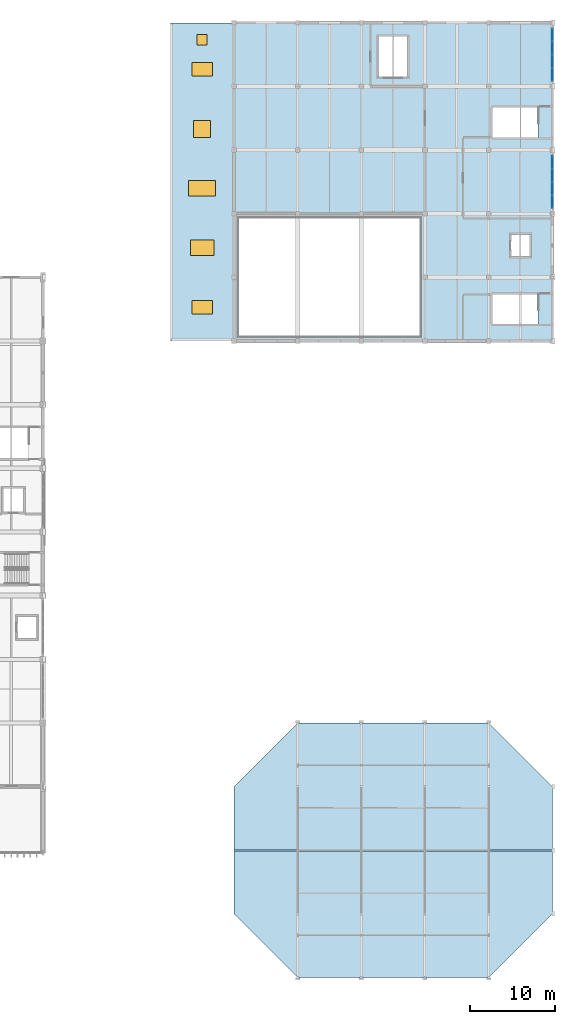
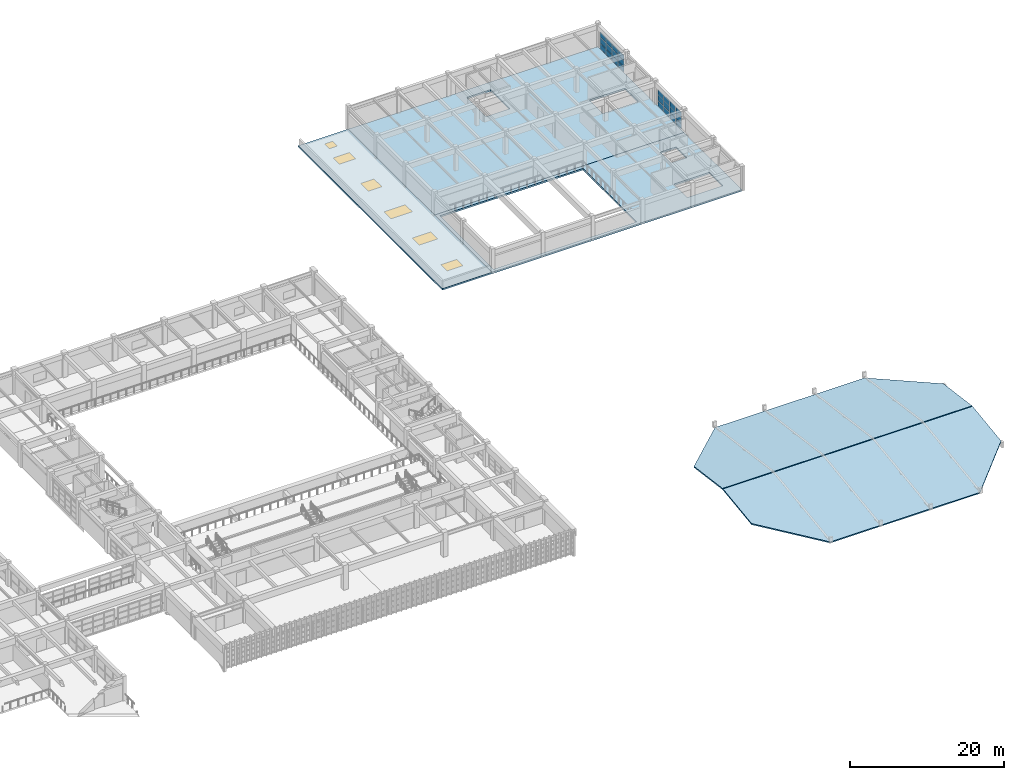
# One storey, part 68 of 101: 24 plates, 5 slabs, 5 windows, 1 door, 6 openings, 2 elements without a shape of their own.
"""IFC4 building model written with IfcOpenShell, lengths in metres."""

from ifc_helpers import new_model, si_unit, direction, frame, origin, origin_2d, place, context, subcontext, project, spatial, polyline, rectangle, outline, extrude, material, layer, layer_set, type_object, element, fill, aggregate, save


model = new_model("IFC4")

# Units and contexts
model_context = context("Model", 3, precision=1e-05, world=origin(), true_north=direction((0.0, 1.0)))
body_context = subcontext(model_context, "Body", "Model", "MODEL_VIEW")
ifc_project = project(units=[si_unit("LENGTHUNIT", "METRE"), si_unit("AREAUNIT", "SQUARE_METRE"), si_unit("VOLUMEUNIT", "CUBIC_METRE"), si_unit("PLANEANGLEUNIT", "RADIAN"), si_unit("MASSUNIT", "GRAM", prefix="KILO")], contexts=[model_context])

# Site, building, storey
site_placement = place(None, origin())
site = spatial("IfcSite", under=ifc_project, at=site_placement, CompositionType="ELEMENT")
building_placement = place(site_placement, origin())
building = spatial("IfcBuilding", under=site, at=building_placement, Name="Qasida Concert Hall", CompositionType="ELEMENT")
storey_placement = place(building_placement, frame((0.0, 0.0, 13.199951171875)))
storey = spatial("IfcBuildingStorey", under=building, at=storey_placement, Name="L03", CompositionType="ELEMENT", Elevation=13.199951171875)

# Curtain wall, plates
ifc_material_1 = material(Name="Architectural bronze-anodized aluminium and low-E glass", Category="aluminium")
curtain_wall_type = type_object("IfcCurtainWallType", Name="CW-11", PredefinedType="NOTDEFINED", material=ifc_material_1)
curtain_wall_1_placement = place(storey_placement, origin())
curtain_wall_1 = element("IfcCurtainWall", 1, at=curtain_wall_1_placement, inside=storey, type_object=curtain_wall_type, Name="L03 curtain wall CW-11 0178", PredefinedType="NOTDEFINED")
ifc_material_2 = material(Name="Solar-control low-E double glazing", Category="glass")
ifc_layer_1 = layer(ifc_material_2, 0.031982421875, Name="Solar-control low-E double glazing")
ifc_layer_set_1 = layer_set([ifc_layer_1], Name="Solar-control low-E double glazing")
plate_type = type_object("IfcPlateType", Name="PLT-CWP-2", PredefinedType="CURTAIN_PANEL", material=ifc_layer_set_1)
plate_1_placement = place(storey_placement, frame((165.0, 91.418701171875, 0.06005859375), z_axis=(0.0, 0.0, 1.0), x_axis=(0.0, 1.0, 0.0)))
plate_1 = element("IfcPlate", 2, at=plate_1_placement, type_object=plate_type, Name="CW-11 panel 1.1", PredefinedType="CURTAIN_PANEL", context=body_context, shape_type="SweptSolid", body=[
    extrude(rectangle(XDim=1.467529296875, YDim=0.031982421875, at=origin_2d()), origin(), (0.0, 0.0, 1.0), 0.840087890625),
])
plate_2_placement = place(storey_placement, frame((165.0, 91.418701171875, 0.9599609375), z_axis=(0.0, 0.0, 1.0), x_axis=(0.0, 1.0, 0.0)))
plate_2 = element("IfcPlate", 3, at=plate_2_placement, type_object=plate_type, Name="CW-11 panel 1.2", PredefinedType="CURTAIN_PANEL", context=body_context, shape_type="SweptSolid", body=[
    extrude(rectangle(XDim=1.467529296875, YDim=0.031982421875, at=origin_2d()), origin(), (0.0, 0.0, 1.0), 0.8701171875),
])
plate_3_placement = place(storey_placement, frame((165.0, 91.418701171875, 1.89013671875), z_axis=(0.0, 0.0, 1.0), x_axis=(0.0, 1.0, 0.0)))
plate_3 = element("IfcPlate", 4, at=plate_3_placement, type_object=plate_type, Name="CW-11 panel 1.3", PredefinedType="CURTAIN_PANEL", context=body_context, shape_type="SweptSolid", body=[
    extrude(rectangle(XDim=1.467529296875, YDim=0.031982421875, at=origin_2d()), origin(), (0.0, 0.0, 1.0), 0.840087890625),
])
plate_4_placement = place(storey_placement, frame((165.0, 92.967529296875, 0.06005859375), z_axis=(0.0, 0.0, 1.0), x_axis=(0.0, 1.0, 0.0)))
plate_4 = element("IfcPlate", 5, at=plate_4_placement, type_object=plate_type, Name="CW-11 panel 2.1", PredefinedType="CURTAIN_PANEL", context=body_context, shape_type="SweptSolid", body=[
    extrude(rectangle(XDim=1.5, YDim=0.031982421875, at=origin_2d()), origin(), (0.0, 0.0, 1.0), 0.840087890625),
])
plate_5_placement = place(storey_placement, frame((165.0, 92.967529296875, 0.9599609375), z_axis=(0.0, 0.0, 1.0), x_axis=(0.0, 1.0, 0.0)))
plate_5 = element("IfcPlate", 6, at=plate_5_placement, type_object=plate_type, Name="CW-11 panel 2.2", PredefinedType="CURTAIN_PANEL", context=body_context, shape_type="SweptSolid", body=[
    extrude(rectangle(XDim=1.5, YDim=0.031982421875, at=origin_2d()), origin(), (0.0, 0.0, 1.0), 0.8701171875),
])
plate_6_placement = place(storey_placement, frame((165.0, 92.967529296875, 1.89013671875), z_axis=(0.0, 0.0, 1.0), x_axis=(0.0, 1.0, 0.0)))
plate_6 = element("IfcPlate", 7, at=plate_6_placement, type_object=plate_type, Name="CW-11 panel 2.3", PredefinedType="CURTAIN_PANEL", context=body_context, shape_type="SweptSolid", body=[
    extrude(rectangle(XDim=1.5, YDim=0.031982421875, at=origin_2d()), origin(), (0.0, 0.0, 1.0), 0.840087890625),
])
plate_7_placement = place(storey_placement, frame((165.0, 94.532470703125, 0.06005859375), z_axis=(0.0, 0.0, 1.0), x_axis=(0.0, 1.0, 0.0)))
plate_7 = element("IfcPlate", 8, at=plate_7_placement, type_object=plate_type, Name="CW-11 panel 3.1", PredefinedType="CURTAIN_PANEL", context=body_context, shape_type="SweptSolid", body=[
    extrude(rectangle(XDim=1.5, YDim=0.031982421875, at=origin_2d()), origin(), (0.0, 0.0, 1.0), 0.840087890625),
])
plate_8_placement = place(storey_placement, frame((165.0, 94.532470703125, 0.9599609375), z_axis=(0.0, 0.0, 1.0), x_axis=(0.0, 1.0, 0.0)))
plate_8 = element("IfcPlate", 9, at=plate_8_placement, type_object=plate_type, Name="CW-11 panel 3.2", PredefinedType="CURTAIN_PANEL", context=body_context, shape_type="SweptSolid", body=[
    extrude(rectangle(XDim=1.5, YDim=0.031982421875, at=origin_2d()), origin(), (0.0, 0.0, 1.0), 0.8701171875),
])
plate_9_placement = place(storey_placement, frame((165.0, 94.532470703125, 1.89013671875), z_axis=(0.0, 0.0, 1.0), x_axis=(0.0, 1.0, 0.0)))
plate_9 = element("IfcPlate", 10, at=plate_9_placement, type_object=plate_type, Name="CW-11 panel 3.3", PredefinedType="CURTAIN_PANEL", context=body_context, shape_type="SweptSolid", body=[
    extrude(rectangle(XDim=1.5, YDim=0.031982421875, at=origin_2d()), origin(), (0.0, 0.0, 1.0), 0.840087890625),
])
plate_10_placement = place(storey_placement, frame((165.0, 96.081298828125, 0.06005859375), z_axis=(0.0, 0.0, 1.0), x_axis=(0.0, 1.0, 0.0)))
plate_10 = element("IfcPlate", 11, at=plate_10_placement, type_object=plate_type, Name="CW-11 panel 4.1", PredefinedType="CURTAIN_PANEL", context=body_context, shape_type="SweptSolid", body=[
    extrude(rectangle(XDim=1.467529296875, YDim=0.031982421875, at=origin_2d()), origin(), (0.0, 0.0, 1.0), 0.840087890625),
])
plate_11_placement = place(storey_placement, frame((165.0, 96.081298828125, 0.9599609375), z_axis=(0.0, 0.0, 1.0), x_axis=(0.0, 1.0, 0.0)))
plate_11 = element("IfcPlate", 12, at=plate_11_placement, type_object=plate_type, Name="CW-11 panel 4.2", PredefinedType="CURTAIN_PANEL", context=body_context, shape_type="SweptSolid", body=[
    extrude(rectangle(XDim=1.467529296875, YDim=0.031982421875, at=origin_2d()), origin(), (0.0, 0.0, 1.0), 0.8701171875),
])
plate_12_placement = place(storey_placement, frame((165.0, 96.081298828125, 1.89013671875), z_axis=(0.0, 0.0, 1.0), x_axis=(0.0, 1.0, 0.0)))
plate_12 = element("IfcPlate", 13, at=plate_12_placement, type_object=plate_type, Name="CW-11 panel 4.3", PredefinedType="CURTAIN_PANEL", context=body_context, shape_type="SweptSolid", body=[
    extrude(rectangle(XDim=1.467529296875, YDim=0.031982421875, at=origin_2d()), origin(), (0.0, 0.0, 1.0), 0.840087890625),
])
aggregate(curtain_wall_1, [plate_1, plate_2, plate_3, plate_4, plate_5, plate_6, plate_7, plate_8, plate_9, plate_10, plate_11, plate_12])

curtain_wall_2_placement = place(storey_placement, origin())
curtain_wall_2 = element("IfcCurtainWall", 14, at=curtain_wall_2_placement, inside=storey, type_object=curtain_wall_type, Name="L03 curtain wall CW-11 0179", PredefinedType="NOTDEFINED")
plate_13_placement = place(storey_placement, frame((165.0, 106.418701171875, 0.06005859375), z_axis=(0.0, 0.0, 1.0), x_axis=(0.0, 1.0, 0.0)))
plate_13 = element("IfcPlate", 15, at=plate_13_placement, type_object=plate_type, Name="CW-11 panel 1.1", PredefinedType="CURTAIN_PANEL", context=body_context, shape_type="SweptSolid", body=[
    extrude(rectangle(XDim=1.467529296875, YDim=0.031982421875, at=origin_2d()), origin(), (0.0, 0.0, 1.0), 0.840087890625),
])
plate_14_placement = place(storey_placement, frame((165.0, 106.418701171875, 0.9599609375), z_axis=(0.0, 0.0, 1.0), x_axis=(0.0, 1.0, 0.0)))
plate_14 = element("IfcPlate", 16, at=plate_14_placement, type_object=plate_type, Name="CW-11 panel 1.2", PredefinedType="CURTAIN_PANEL", context=body_context, shape_type="SweptSolid", body=[
    extrude(rectangle(XDim=1.467529296875, YDim=0.031982421875, at=origin_2d()), origin(), (0.0, 0.0, 1.0), 0.8701171875),
])
plate_15_placement = place(storey_placement, frame((165.0, 106.418701171875, 1.89013671875), z_axis=(0.0, 0.0, 1.0), x_axis=(0.0, 1.0, 0.0)))
plate_15 = element("IfcPlate", 17, at=plate_15_placement, type_object=plate_type, Name="CW-11 panel 1.3", PredefinedType="CURTAIN_PANEL", context=body_context, shape_type="SweptSolid", body=[
    extrude(rectangle(XDim=1.467529296875, YDim=0.031982421875, at=origin_2d()), origin(), (0.0, 0.0, 1.0), 0.840087890625),
])
plate_16_placement = place(storey_placement, frame((165.0, 107.967529296875, 0.06005859375), z_axis=(0.0, 0.0, 1.0), x_axis=(0.0, 1.0, 0.0)))
plate_16 = element("IfcPlate", 18, at=plate_16_placement, type_object=plate_type, Name="CW-11 panel 2.1", PredefinedType="CURTAIN_PANEL", context=body_context, shape_type="SweptSolid", body=[
    extrude(rectangle(XDim=1.5, YDim=0.031982421875, at=origin_2d()), origin(), (0.0, 0.0, 1.0), 0.840087890625),
])
plate_17_placement = place(storey_placement, frame((165.0, 107.967529296875, 0.9599609375), z_axis=(0.0, 0.0, 1.0), x_axis=(0.0, 1.0, 0.0)))
plate_17 = element("IfcPlate", 19, at=plate_17_placement, type_object=plate_type, Name="CW-11 panel 2.2", PredefinedType="CURTAIN_PANEL", context=body_context, shape_type="SweptSolid", body=[
    extrude(rectangle(XDim=1.5, YDim=0.031982421875, at=origin_2d()), origin(), (0.0, 0.0, 1.0), 0.8701171875),
])
plate_18_placement = place(storey_placement, frame((165.0, 107.967529296875, 1.89013671875), z_axis=(0.0, 0.0, 1.0), x_axis=(0.0, 1.0, 0.0)))
plate_18 = element("IfcPlate", 20, at=plate_18_placement, type_object=plate_type, Name="CW-11 panel 2.3", PredefinedType="CURTAIN_PANEL", context=body_context, shape_type="SweptSolid", body=[
    extrude(rectangle(XDim=1.5, YDim=0.031982421875, at=origin_2d()), origin(), (0.0, 0.0, 1.0), 0.840087890625),
])
plate_19_placement = place(storey_placement, frame((165.0, 109.532470703125, 0.06005859375), z_axis=(0.0, 0.0, 1.0), x_axis=(0.0, 1.0, 0.0)))
plate_19 = element("IfcPlate", 21, at=plate_19_placement, type_object=plate_type, Name="CW-11 panel 3.1", PredefinedType="CURTAIN_PANEL", context=body_context, shape_type="SweptSolid", body=[
    extrude(rectangle(XDim=1.5, YDim=0.031982421875, at=origin_2d()), origin(), (0.0, 0.0, 1.0), 0.840087890625),
])
plate_20_placement = place(storey_placement, frame((165.0, 109.532470703125, 0.9599609375), z_axis=(0.0, 0.0, 1.0), x_axis=(0.0, 1.0, 0.0)))
plate_20 = element("IfcPlate", 22, at=plate_20_placement, type_object=plate_type, Name="CW-11 panel 3.2", PredefinedType="CURTAIN_PANEL", context=body_context, shape_type="SweptSolid", body=[
    extrude(rectangle(XDim=1.5, YDim=0.031982421875, at=origin_2d()), origin(), (0.0, 0.0, 1.0), 0.8701171875),
])
plate_21_placement = place(storey_placement, frame((165.0, 109.532470703125, 1.89013671875), z_axis=(0.0, 0.0, 1.0), x_axis=(0.0, 1.0, 0.0)))
plate_21 = element("IfcPlate", 23, at=plate_21_placement, type_object=plate_type, Name="CW-11 panel 3.3", PredefinedType="CURTAIN_PANEL", context=body_context, shape_type="SweptSolid", body=[
    extrude(rectangle(XDim=1.5, YDim=0.031982421875, at=origin_2d()), origin(), (0.0, 0.0, 1.0), 0.840087890625),
])
plate_22_placement = place(storey_placement, frame((165.0, 111.081298828125, 0.06005859375), z_axis=(0.0, 0.0, 1.0), x_axis=(0.0, 1.0, 0.0)))
plate_22 = element("IfcPlate", 24, at=plate_22_placement, type_object=plate_type, Name="CW-11 panel 4.1", PredefinedType="CURTAIN_PANEL", context=body_context, shape_type="SweptSolid", body=[
    extrude(rectangle(XDim=1.467529296875, YDim=0.031982421875, at=origin_2d()), origin(), (0.0, 0.0, 1.0), 0.840087890625),
])
plate_23_placement = place(storey_placement, frame((165.0, 111.081298828125, 0.9599609375), z_axis=(0.0, 0.0, 1.0), x_axis=(0.0, 1.0, 0.0)))
plate_23 = element("IfcPlate", 25, at=plate_23_placement, type_object=plate_type, Name="CW-11 panel 4.2", PredefinedType="CURTAIN_PANEL", context=body_context, shape_type="SweptSolid", body=[
    extrude(rectangle(XDim=1.467529296875, YDim=0.031982421875, at=origin_2d()), origin(), (0.0, 0.0, 1.0), 0.8701171875),
])
plate_24_placement = place(storey_placement, frame((165.0, 111.081298828125, 1.89013671875), z_axis=(0.0, 0.0, 1.0), x_axis=(0.0, 1.0, 0.0)))
plate_24 = element("IfcPlate", 26, at=plate_24_placement, type_object=plate_type, Name="CW-11 panel 4.3", PredefinedType="CURTAIN_PANEL", context=body_context, shape_type="SweptSolid", body=[
    extrude(rectangle(XDim=1.467529296875, YDim=0.031982421875, at=origin_2d()), origin(), (0.0, 0.0, 1.0), 0.840087890625),
])
aggregate(curtain_wall_2, [plate_13, plate_14, plate_15, plate_16, plate_17, plate_18, plate_19, plate_20, plate_21, plate_22, plate_23, plate_24])

# Slabs
ifc_material_3 = material(Name="Concrete C40/50", Category="concrete")
ifc_layer_2 = layer(ifc_material_3, 0.260009765625, Name="Concrete C40/50")
ifc_layer_set_2 = layer_set([ifc_layer_2], Name="Concrete C40/50")
slab_type_1 = type_object("IfcSlabType", Name="SL-FS-260", PredefinedType="FLOOR", material=ifc_layer_set_2)
slab_1_placement = place(storey_placement, frame((0.0, 0.0, -0.260009765625)))
element("IfcSlab", 27, at=slab_1_placement, inside=storey, type_object=slab_type_1, Name="V4 acoustic AHU south (FS-260)", PredefinedType="FLOOR", context=body_context, shape_type="SweptSolid", body=[
    extrude(outline(polyline([(127.5, 75.0), (165.0, 75.0), (165.0, 90.0), (127.5, 90.0), (127.5, 75.0)]), holes=[polyline([(128.0, 75.5), (149.5, 75.5), (149.5, 89.5), (128.0, 89.5), (128.0, 75.5)]), polyline([(157.97998046875, 77.0), (163.340087890625, 77.0), (163.340087890625, 80.5), (157.97998046875, 80.5), (157.97998046875, 77.0)]), polyline([(160.050048828125, 84.85009765625), (162.449951171875, 84.85009765625), (162.449951171875, 87.64990234375), (160.050048828125, 87.64990234375), (160.050048828125, 84.85009765625)])]), origin(), (0.0, 0.0, 1.0), 0.260009765625),
])
slab_2_placement = place(storey_placement, frame((0.0, 0.0, -0.260009765625)))
element("IfcSlab", 28, at=slab_2_placement, inside=storey, type_object=slab_type_1, Name="V4 dimmer & smoke plant north (FS-260)", PredefinedType="FLOOR", context=body_context, shape_type="SweptSolid", body=[
    extrude(outline(polyline([(127.5, 90.0), (165.0, 90.0), (165.0, 112.5), (127.5, 112.5), (127.5, 90.0)]), holes=[polyline([(157.97998046875, 99.0), (163.340087890625, 99.0), (163.340087890625, 102.5), (157.97998046875, 102.5), (157.97998046875, 99.0)]), polyline([(144.449951171875, 106.0), (148.050048828125, 106.0), (148.050048828125, 111.0), (144.449951171875, 111.0), (144.449951171875, 106.0)])]), origin(), (0.0, 0.0, 1.0), 0.260009765625),
])
ifc_layer_3 = layer(ifc_material_3, 0.199951171875, Name="Concrete C40/50")
ifc_layer_set_3 = layer_set([ifc_layer_3], Name="Concrete C40/50")
slab_type_2 = type_object("IfcSlabType", Name="SL-RS-200", PredefinedType="ROOF", material=ifc_layer_set_3)
slab_3_placement = place(storey_placement, frame((135.0, 0.0, 0.0), z_axis=(0.0, -0.1321601818, 0.991228372448), x_axis=(1.0, 0.0, 0.0)))
element("IfcSlab", 29, at=slab_3_placement, inside=storey, type_object=slab_type_2, Name="V2 Chamber Hall south pitched roof", PredefinedType="ROOF", context=body_context, shape_type="SweptSolid", body=[
    extrude(outline(polyline([(0.0, 0.0), (22.5, 0.0), (30.0, 7.566372975162573), (30.0, 15.0721494011011), (-7.5, 15.0721494011011), (-7.5, 7.566372975162573), (0.0, 0.0)])), origin(), (0.0, 0.0, -1.0), 0.199951171875),
])
slab_4_placement = place(storey_placement, frame((127.5, 15.06005859375, 1.991943359375), z_axis=(0.0, 0.1321601818, 0.991228372448), x_axis=(1.0, 0.0, 0.0)))
element("IfcSlab", 30, at=slab_4_placement, inside=storey, type_object=slab_type_2, Name="V2 Chamber Hall north pitched roof", PredefinedType="ROOF", context=body_context, shape_type="SweptSolid", body=[
    extrude(outline(polyline([(0.0, 0.0), (37.5, 0.0), (37.5, 7.505776425938527), (30.0, 15.0721494011011), (7.5, 15.0721494011011), (0.0, 7.505776425938527), (0.0, 0.0)])), origin(), (0.0, 0.0, -1.0), 0.199951171875),
])

# Slab, openings, door, windows
ifc_layer_4 = layer(ifc_material_3, 0.239990234375, Name="Concrete C40/50")
ifc_layer_set_4 = layer_set([ifc_layer_4], Name="Concrete C40/50")
slab_type_3 = type_object("IfcSlabType", Name="SL-RS-240", PredefinedType="ROOF", material=ifc_layer_set_4)
slab_5_placement = place(storey_placement, frame((0.0, 0.0, -0.239990234375)))
slab_5 = element("IfcSlab", 31, at=slab_5_placement, inside=storey, type_object=slab_type_3, Name="V4 west setback roof (RS-240)", PredefinedType="ROOF", context=body_context, shape_type="SweptSolid", body=[
    extrude(outline(polyline([(120.0, 75.0), (127.5, 75.0), (127.5, 112.5), (120.0, 112.5), (120.0, 75.0)])), origin(), (0.0, 0.0, 1.0), 0.239990234375),
])
opening_1_placement = place(slab_5_placement, frame((123.75, 79.0, -0.010009765625)))
opening_1 = element("IfcOpeningElement", 32, at=opening_1_placement, cuts=slab_5, Name="Opening SK-01", PredefinedType="OPENING", context=body_context, shape_type="SweptSolid", body=[
    extrude(rectangle(XDim=2.39990234375, YDim=1.60009765625, at=origin_2d()), origin(), (0.0, 0.0, 1.0), 0.260009765625),
])
opening_2_placement = place(slab_5_placement, frame((123.75, 86.0, -0.010009765625)))
opening_2 = element("IfcOpeningElement", 33, at=opening_2_placement, cuts=slab_5, Name="Opening SK-02", PredefinedType="OPENING", context=body_context, shape_type="SweptSolid", body=[
    extrude(rectangle(XDim=2.800048828125, YDim=1.800048828125, at=origin_2d()), origin(), (0.0, 0.0, 1.0), 0.260009765625),
])
opening_3_placement = place(slab_5_placement, frame((123.75, 93.0, -0.010009765625)))
opening_3 = element("IfcOpeningElement", 34, at=opening_3_placement, cuts=slab_5, Name="Opening SK-03", PredefinedType="OPENING", context=body_context, shape_type="SweptSolid", body=[
    extrude(rectangle(XDim=3.199951171875, YDim=1.800048828125, at=origin_2d()), origin(), (0.0, 0.0, 1.0), 0.260009765625),
])
opening_4_placement = place(slab_5_placement, frame((123.75, 100.0, -0.010009765625)))
opening_4 = element("IfcOpeningElement", 35, at=opening_4_placement, cuts=slab_5, Name="Opening SK-04", PredefinedType="OPENING", context=body_context, shape_type="SweptSolid", body=[
    extrude(rectangle(XDim=2.0, YDim=2.0, at=origin_2d()), origin(), (0.0, 0.0, 1.0), 0.260009765625),
])
opening_5_placement = place(slab_5_placement, frame((123.75, 107.0, -0.010009765625)))
opening_5 = element("IfcOpeningElement", 36, at=opening_5_placement, cuts=slab_5, Name="Opening SK-01", PredefinedType="OPENING", context=body_context, shape_type="SweptSolid", body=[
    extrude(rectangle(XDim=2.39990234375, YDim=1.60009765625, at=origin_2d()), origin(), (0.0, 0.0, 1.0), 0.260009765625),
])
opening_6_placement = place(slab_5_placement, frame((123.75, 110.5, -0.010009765625)))
opening_6 = element("IfcOpeningElement", 37, at=opening_6_placement, cuts=slab_5, Name="Opening RH-120", PredefinedType="OPENING", context=body_context, shape_type="SweptSolid", body=[
    extrude(rectangle(XDim=1.199951171875, YDim=1.199951171875, at=origin_2d()), origin(), (0.0, 0.0, 1.0), 0.260009765625),
])
ifc_material_4 = material(Name="Insulated powder-coated galvanized steel", Category="steel")
door_type = type_object("IfcDoorType", Name="RH-120", OperationType="NOTDEFINED", PredefinedType="TRAPDOOR", material=ifc_material_4)
door_placement = place(storey_placement, frame((123.75, 110.5, -0.050048828125)))
door = element("IfcDoor", 38, at=door_placement, inside=storey, type_object=door_type, Name="L03 roof access hatch RH-01", OperationType="SINGLE_SWING_LEFT", OverallHeight=1.199951171875, OverallWidth=1.199951171875, PredefinedType="TRAPDOOR", context=body_context, shape_type="SweptSolid", body=[
    extrude(rectangle(XDim=1.199951171875, YDim=1.199951171875, at=origin_2d()), origin(), (0.0, 0.0, 1.0), 0.050048828125),
])
fill(opening_6, door)
ifc_material_5 = material(Name="Bronze-anodized aluminium frame with acoustic low-E glazing", Category="aluminium")
window_type_1 = type_object("IfcWindowType", Name="SK-01", PartitioningType="SINGLE_PANEL", PredefinedType="SKYLIGHT", material=ifc_material_5)
window_1_placement = place(storey_placement, frame((123.75, 79.0, -0.050048828125)))
window_1 = element("IfcWindow", 39, at=window_1_placement, inside=storey, type_object=window_type_1, Name="L03 acoustic skylight SK-01 001", OverallHeight=1.60009765625, OverallWidth=2.39990234375, PartitioningType="SINGLE_PANEL", PredefinedType="SKYLIGHT", context=body_context, shape_type="SweptSolid", body=[
    extrude(rectangle(XDim=2.39990234375, YDim=1.60009765625, at=origin_2d()), origin(), (0.0, 0.0, 1.0), 0.050048828125),
])
fill(opening_1, window_1)
window_2_placement = place(storey_placement, frame((123.75, 107.0, -0.050048828125)))
window_2 = element("IfcWindow", 40, at=window_2_placement, inside=storey, type_object=window_type_1, Name="L03 acoustic skylight SK-01 005", OverallHeight=1.60009765625, OverallWidth=2.39990234375, PartitioningType="SINGLE_PANEL", PredefinedType="SKYLIGHT", context=body_context, shape_type="SweptSolid", body=[
    extrude(rectangle(XDim=2.39990234375, YDim=1.60009765625, at=origin_2d()), origin(), (0.0, 0.0, 1.0), 0.050048828125),
])
fill(opening_5, window_2)
window_type_2 = type_object("IfcWindowType", Name="SK-02", PartitioningType="SINGLE_PANEL", PredefinedType="SKYLIGHT", material=ifc_material_5)
window_3_placement = place(storey_placement, frame((123.75, 86.0, -0.050048828125)))
window_3 = element("IfcWindow", 41, at=window_3_placement, inside=storey, type_object=window_type_2, Name="L03 acoustic skylight SK-02 002", OverallHeight=1.800048828125, OverallWidth=2.800048828125, PartitioningType="SINGLE_PANEL", PredefinedType="SKYLIGHT", context=body_context, shape_type="SweptSolid", body=[
    extrude(rectangle(XDim=2.800048828125, YDim=1.800048828125, at=origin_2d()), origin(), (0.0, 0.0, 1.0), 0.050048828125),
])
fill(opening_2, window_3)
window_type_3 = type_object("IfcWindowType", Name="SK-03", PartitioningType="SINGLE_PANEL", PredefinedType="SKYLIGHT", material=ifc_material_5)
window_4_placement = place(storey_placement, frame((123.75, 93.0, -0.050048828125)))
window_4 = element("IfcWindow", 42, at=window_4_placement, inside=storey, type_object=window_type_3, Name="L03 acoustic skylight SK-03 003", OverallHeight=1.800048828125, OverallWidth=3.199951171875, PartitioningType="SINGLE_PANEL", PredefinedType="SKYLIGHT", context=body_context, shape_type="SweptSolid", body=[
    extrude(rectangle(XDim=3.199951171875, YDim=1.800048828125, at=origin_2d()), origin(), (0.0, 0.0, 1.0), 0.050048828125),
])
fill(opening_3, window_4)
window_type_4 = type_object("IfcWindowType", Name="SK-04", PartitioningType="SINGLE_PANEL", PredefinedType="SKYLIGHT", material=ifc_material_5)
window_5_placement = place(storey_placement, frame((123.75, 100.0, -0.050048828125)))
window_5 = element("IfcWindow", 43, at=window_5_placement, inside=storey, type_object=window_type_4, Name="L03 acoustic skylight SK-04 004", OverallHeight=2.0, OverallWidth=2.0, PartitioningType="SINGLE_PANEL", PredefinedType="SKYLIGHT", context=body_context, shape_type="SweptSolid", body=[
    extrude(rectangle(XDim=2.0, YDim=2.0, at=origin_2d()), origin(), (0.0, 0.0, 1.0), 0.050048828125),
])
fill(opening_4, window_5)

save(model, "model.ifc")
